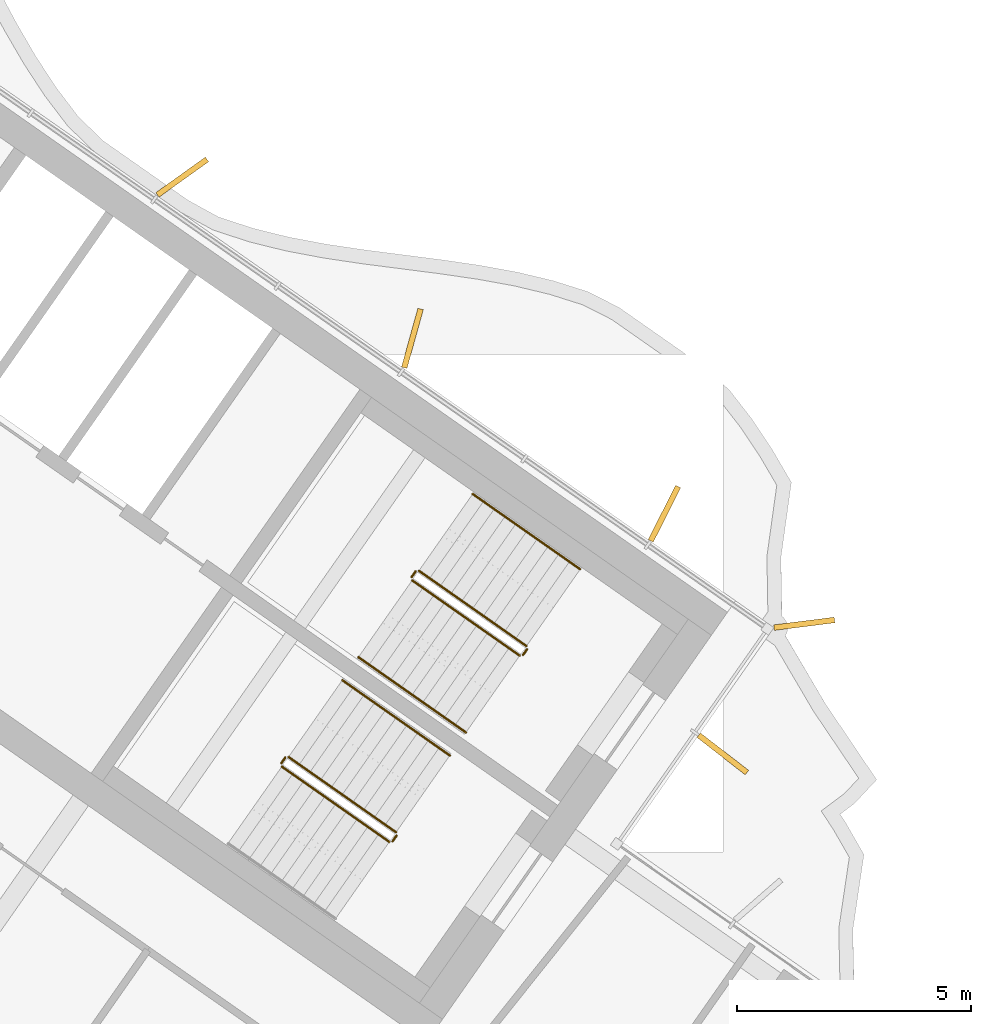
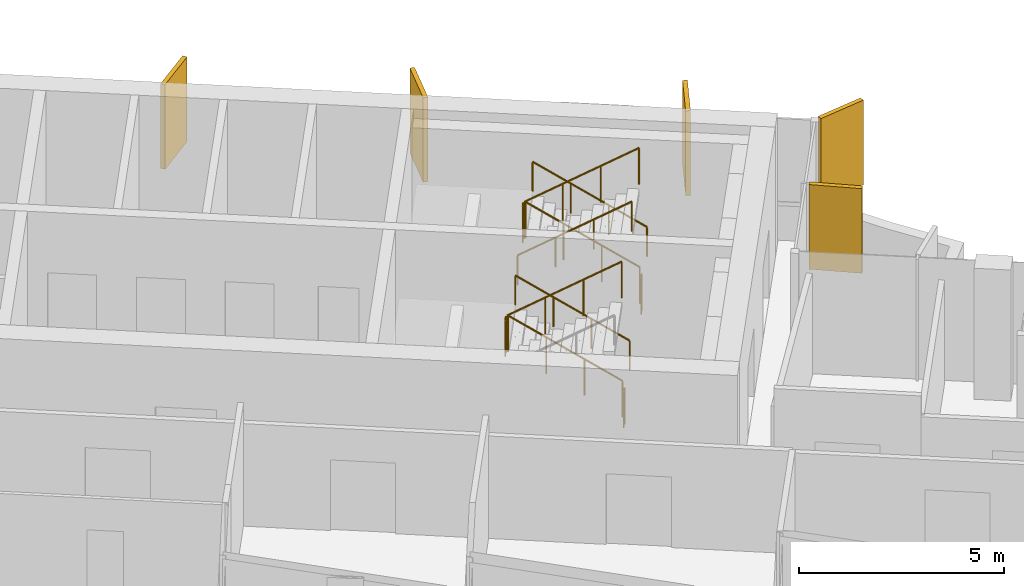
# One storey, part 17 of 18: 11 railings, 5 shading devices.
"""IFC4 building model written with IfcOpenShell, lengths in metres."""

from ifc_helpers import new_model, si_unit, direction, frame, origin, origin_2d, place, context, subcontext, project, spatial, rectangle, circle, extrude, material, layer, layer_set, type_object, element, save


model = new_model("IFC4")

# Units and contexts
model_context = context("Model", 3, precision=1e-05, world=origin(), true_north=direction((0.0, 1.0)))
body_context = subcontext(model_context, "Body", "Model", "MODEL_VIEW")
ifc_project = project(units=[si_unit("LENGTHUNIT", "METRE"), si_unit("AREAUNIT", "SQUARE_METRE"), si_unit("VOLUMEUNIT", "CUBIC_METRE"), si_unit("PLANEANGLEUNIT", "RADIAN"), si_unit("MASSUNIT", "GRAM", prefix="KILO")], contexts=[model_context])

# Site, building, storey
site_placement = place(None, origin())
site = spatial("IfcSite", under=ifc_project, at=site_placement, CompositionType="ELEMENT")
building_placement = place(site_placement, origin())
building = spatial("IfcBuilding", under=site, at=building_placement, Name="Tel Ilan Convention Tower", CompositionType="ELEMENT")
storey_placement = place(building_placement, frame((0.0, 0.0, 256.60009765625)))
storey = spatial("IfcBuildingStorey", under=building, at=storey_placement, Name="L60", CompositionType="ELEMENT", Elevation=256.60009765625)

# Shading devices
ifc_material_1 = material(Name="Aluminium, bronze anodised", Category="aluminium")
ifc_layer = layer(ifc_material_1, 0.1201171875)
ifc_layer_set = layer_set([ifc_layer], Name="FIN BRONZE 1300x120")
shading_device_type = type_object("IfcShadingDeviceType", Name="FIN BRONZE 1300x120", PredefinedType="USERDEFINED", material=ifc_layer_set)
for number, where, z_axis, x_axis, name in (
    (1, (27.868408203125, -10.15234375, 1.099853515625), (0.0, 0.0, 1.0), (0.790392669516, -0.612600545196, 0.0), "FIN"),
    (2, (29.60595703125, -7.376953125, 1.099853515625), (0.0, 0.0, 1.0), (0.992066016082, 0.125718016748, 0.0), "FIN"),
    (3, (26.62255859375, -5.028076171875, 1.099853515625), (0.0, 0.0, 1.0), (0.448799180206, 0.893632640321, 0.0), "FIN"),
    (4, (21.246337890625, -1.286865234375, 1.099853515625), (0.0, 0.0, 1.0), (0.268172612768, 0.963370878614, 0.0), "FIN"),
    (5, (16.335693359375, 2.15185546875, 1.099853515625), (0.0, 0.0, 1.0), (0.813552070258, 0.581492071294, 0.0), "FIN"),
):
    element("IfcShadingDevice", number, at=place(storey_placement, frame(where, z_axis=z_axis, x_axis=x_axis)), inside=storey, type_object=shading_device_type, Name=name, ObjectType="FIN", PredefinedType="USERDEFINED", context=body_context, shape_type="SweptSolid", body=[
        extrude(rectangle(XDim=1.300048828125, YDim=0.1201171875, at=origin_2d()), origin(), (0.0, 0.0, 1.0), 2.52001953125),
    ])

# Railings
ifc_material_2 = material(Name="Stainless Steel Grade 316", Category="steel")
railing_type_1 = type_object("IfcRailingType", Name="Stainless Steel Stair Guard 1100 mm", PredefinedType="GUARDRAIL", material=ifc_material_2)
railing_1_placement = place(storey_placement, frame((23.6787109375, -7.8515625, 0.17724609375)))
element("IfcRailing", 6, at=railing_1_placement, inside=storey, type_object=railing_type_1, Name="L60 S3 stair guard 1", PredefinedType="GUARDRAIL", context=body_context, shape_type="SweptSolid", body=[
    extrude(circle(Radius=0.02392578125, at=origin_2d()), frame((0.0, 0.0, 1.076171875), z_axis=(-0.692084706163, 0.484621375041, 0.534940073605), x_axis=(-0.573591086599, -0.819141785879, 0.0)), (0.0, 0.0, 1.0), 3.313720703125),
    extrude(circle(Radius=0.02099609375, at=origin_2d()), origin(), (0.0, 0.0, 1.0), 1.052001953125),
    extrude(circle(Radius=0.02099609375, at=origin_2d()), frame((-0.764404296875, 0.535400390625, 0.5908203125)), (0.0, 0.0, 1.0), 1.052001953125),
    extrude(circle(Radius=0.02099609375, at=origin_2d()), frame((-1.529052734375, 1.070556640625, 1.181884765625)), (0.0, 0.0, 1.0), 1.052001953125),
    extrude(circle(Radius=0.02099609375, at=origin_2d()), frame((-2.29345703125, 1.60595703125, 1.772705078125)), (0.0, 0.0, 1.0), 1.052001953125),
])
railing_2_placement = place(storey_placement, frame((21.3154296875, -6.2578125, 1.949951171875)))
element("IfcRailing", 7, at=railing_2_placement, inside=storey, type_object=railing_type_1, Name="L60 S3 stair guard 2", PredefinedType="GUARDRAIL", context=body_context, shape_type="SweptSolid", body=[
    extrude(circle(Radius=0.02392578125, at=origin_2d()), frame((0.0, 0.0, 1.076171875), z_axis=(-0.573353020881, -0.819308436089, 0.0), x_axis=(0.819308436089, -0.573353020881, 0.0)), (0.0, 0.0, 1.0), 0.14990234375),
    extrude(circle(Radius=0.02099609375, at=origin_2d()), origin(), (0.0, 0.0, 1.0), 1.052001953125),
    extrude(circle(Radius=0.02099609375, at=origin_2d()), frame((-0.0859375, -0.122802734375, 0.0)), (0.0, 0.0, 1.0), 1.052001953125),
])
railing_3_placement = place(storey_placement, frame((21.24169921875, -6.4501953125, 2.127197265625)))
element("IfcRailing", 8, at=railing_3_placement, inside=storey, type_object=railing_type_1, Name="L60 S3 stair guard 3", PredefinedType="GUARDRAIL", context=body_context, shape_type="SweptSolid", body=[
    extrude(circle(Radius=0.02392578125, at=origin_2d()), frame((0.0, 0.0, 1.076171875), z_axis=(0.692098378994, -0.484653031975, 0.534893701956), x_axis=(0.573608623498, 0.819129505664, 0.0)), (0.0, 0.0, 1.0), 3.314208984375),
    extrude(circle(Radius=0.02099609375, at=origin_2d()), origin(), (0.0, 0.0, 1.0), 1.052001953125),
    extrude(circle(Radius=0.02099609375, at=origin_2d()), frame((0.7646484375, -0.535400390625, 0.5908203125)), (0.0, 0.0, 1.0), 1.052001953125),
    extrude(circle(Radius=0.02099609375, at=origin_2d()), frame((1.529052734375, -1.07080078125, 1.181884765625)), (0.0, 0.0, 1.0), 1.052001953125),
    extrude(circle(Radius=0.02099609375, at=origin_2d()), frame((2.293701171875, -1.606201171875, 1.772705078125)), (0.0, 0.0, 1.0), 1.052001953125),
])
railing_4_placement = place(storey_placement, frame((23.691162109375, -7.921142578125, 0.0)))
element("IfcRailing", 9, at=railing_4_placement, inside=storey, type_object=railing_type_1, Name="L60 S3 stair guard 4", PredefinedType="GUARDRAIL", context=body_context, shape_type="SweptSolid", body=[
    extrude(circle(Radius=0.02392578125, at=origin_2d()), frame((0.0, 0.0, 1.076171875), z_axis=(-0.574444878118, -0.818543268254, 0.0), x_axis=(0.818543268254, -0.574444878118, 0.0)), (0.0, 0.0, 1.0), 0.150146484375),
    extrude(circle(Radius=0.02099609375, at=origin_2d()), origin(), (0.0, 0.0, 1.0), 1.052001953125),
    extrude(circle(Radius=0.02099609375, at=origin_2d()), frame((-0.086181640625, -0.122802734375, 0.0)), (0.0, 0.0, 1.0), 1.052001953125),
])
railing_5_placement = place(storey_placement, frame((20.89697265625, -11.824462890625, 0.17724609375)))
element("IfcRailing", 10, at=railing_5_placement, inside=storey, type_object=railing_type_1, Name="L60 S4 stair guard 1", PredefinedType="GUARDRAIL", context=body_context, shape_type="SweptSolid", body=[
    extrude(circle(Radius=0.02392578125, at=origin_2d()), frame((0.0, 0.0, 1.076171875), z_axis=(-0.692123088272, 0.484596665743, 0.534912798717), x_axis=(-0.573550118428, -0.819170471667, 0.0)), (0.0, 0.0, 1.0), 3.31396484375),
    extrude(circle(Radius=0.02099609375, at=origin_2d()), origin(), (0.0, 0.0, 1.0), 1.052001953125),
    extrude(circle(Radius=0.02099609375, at=origin_2d()), frame((-0.7646484375, 0.535400390625, 0.5908203125)), (0.0, 0.0, 1.0), 1.052001953125),
    extrude(circle(Radius=0.02099609375, at=origin_2d()), frame((-1.529052734375, 1.070556640625, 1.181884765625)), (0.0, 0.0, 1.0), 1.052001953125),
    extrude(circle(Radius=0.02099609375, at=origin_2d()), frame((-2.293701171875, 1.60595703125, 1.772705078125)), (0.0, 0.0, 1.0), 1.052001953125),
])
railing_6_placement = place(storey_placement, frame((18.53369140625, -10.230712890625, 1.949951171875)))
element("IfcRailing", 11, at=railing_6_placement, inside=storey, type_object=railing_type_1, Name="L60 S4 stair guard 2", PredefinedType="GUARDRAIL", context=body_context, shape_type="SweptSolid", body=[
    extrude(circle(Radius=0.02392578125, at=origin_2d()), frame((0.0, 0.0, 1.076171875), z_axis=(-0.573353020881, -0.819308436089, 0.0), x_axis=(0.819308436089, -0.573353020881, 0.0)), (0.0, 0.0, 1.0), 0.14990234375),
    extrude(circle(Radius=0.02099609375, at=origin_2d()), origin(), (0.0, 0.0, 1.0), 1.052001953125),
    extrude(circle(Radius=0.02099609375, at=origin_2d()), frame((-0.0859375, -0.122802734375, 0.0)), (0.0, 0.0, 1.0), 1.052001953125),
])
railing_7_placement = place(storey_placement, frame((18.4599609375, -10.423095703125, 2.127197265625)))
element("IfcRailing", 12, at=railing_7_placement, inside=storey, type_object=railing_type_1, Name="L60 S4 stair guard 3", PredefinedType="GUARDRAIL", context=body_context, shape_type="SweptSolid", body=[
    extrude(circle(Radius=0.02392578125, at=origin_2d()), frame((0.0, 0.0, 1.076171875), z_axis=(0.692098378994, -0.484653031975, 0.534893701956), x_axis=(0.573608623498, 0.819129505664, 0.0)), (0.0, 0.0, 1.0), 3.314208984375),
    extrude(circle(Radius=0.02099609375, at=origin_2d()), origin(), (0.0, 0.0, 1.0), 1.052001953125),
    extrude(circle(Radius=0.02099609375, at=origin_2d()), frame((0.7646484375, -0.535400390625, 0.5908203125)), (0.0, 0.0, 1.0), 1.052001953125),
    extrude(circle(Radius=0.02099609375, at=origin_2d()), frame((1.529052734375, -1.07080078125, 1.181884765625)), (0.0, 0.0, 1.0), 1.052001953125),
    extrude(circle(Radius=0.02099609375, at=origin_2d()), frame((2.293701171875, -1.606201171875, 1.772705078125)), (0.0, 0.0, 1.0), 1.052001953125),
])
railing_8_placement = place(storey_placement, frame((20.9091796875, -11.89404296875, 0.0)))
element("IfcRailing", 13, at=railing_8_placement, inside=storey, type_object=railing_type_1, Name="L60 S4 stair guard 4", PredefinedType="GUARDRAIL", context=body_context, shape_type="SweptSolid", body=[
    extrude(circle(Radius=0.02392578125, at=origin_2d()), frame((0.0, 0.0, 1.076171875), z_axis=(-0.573353020881, -0.819308436089, 0.0), x_axis=(0.819308436089, -0.573353020881, 0.0)), (0.0, 0.0, 1.0), 0.14990234375),
    extrude(circle(Radius=0.02099609375, at=origin_2d()), origin(), (0.0, 0.0, 1.0), 1.052001953125),
    extrude(circle(Radius=0.02099609375, at=origin_2d()), frame((-0.0859375, -0.122802734375, 0.0)), (0.0, 0.0, 1.0), 1.052001953125),
])
ifc_material_3 = material(Name="Stainless Steel Grade 316", Category="steel")
railing_type_2 = type_object("IfcRailingType", Name="Stainless Steel Stair Handrail 900 mm", PredefinedType="HANDRAIL", material=ifc_material_3)
railing_9_placement = place(storey_placement, frame((24.825927734375, -6.213134765625, 0.17724609375)))
element("IfcRailing", 14, at=railing_9_placement, inside=storey, type_object=railing_type_2, Name="L60 S3 stair handrail 1", PredefinedType="HANDRAIL", context=body_context, shape_type="SweptSolid", body=[
    extrude(circle(Radius=0.02392578125, at=origin_2d()), frame((0.0, 0.0, 0.8759765625), z_axis=(-0.692123088272, 0.484596665743, 0.534912798717), x_axis=(-0.573550118428, -0.819170471667, 0.0)), (0.0, 0.0, 1.0), 3.31396484375),
    extrude(circle(Radius=0.02099609375, at=origin_2d()), origin(), (0.0, 0.0, 1.0), 0.851806640625),
    extrude(circle(Radius=0.02099609375, at=origin_2d()), frame((-0.7646484375, 0.535400390625, 0.5908203125)), (0.0, 0.0, 1.0), 0.851806640625),
    extrude(circle(Radius=0.02099609375, at=origin_2d()), frame((-1.529052734375, 1.070556640625, 1.181884765625)), (0.0, 0.0, 1.0), 0.851806640625),
    extrude(circle(Radius=0.02099609375, at=origin_2d()), frame((-2.293701171875, 1.60595703125, 1.772705078125)), (0.0, 0.0, 1.0), 0.851806640625),
])
railing_10_placement = place(storey_placement, frame((20.0947265625, -8.088623046875, 2.127197265625)))
element("IfcRailing", 15, at=railing_10_placement, inside=storey, type_object=railing_type_2, Name="L60 S3 stair handrail 2", PredefinedType="HANDRAIL", context=body_context, shape_type="SweptSolid", body=[
    extrude(circle(Radius=0.02392578125, at=origin_2d()), frame((0.0, 0.0, 0.8759765625), z_axis=(0.692084706163, -0.484621375041, 0.534940073605), x_axis=(0.573591086599, 0.819141785879, 0.0)), (0.0, 0.0, 1.0), 3.313720703125),
    extrude(circle(Radius=0.02099609375, at=origin_2d()), origin(), (0.0, 0.0, 1.0), 0.851806640625),
    extrude(circle(Radius=0.02099609375, at=origin_2d()), frame((0.764404296875, -0.535400390625, 0.5908203125)), (0.0, 0.0, 1.0), 0.851806640625),
    extrude(circle(Radius=0.02099609375, at=origin_2d()), frame((1.529052734375, -1.070556640625, 1.181884765625)), (0.0, 0.0, 1.0), 0.851806640625),
    extrude(circle(Radius=0.02099609375, at=origin_2d()), frame((2.29345703125, -1.60595703125, 1.772705078125)), (0.0, 0.0, 1.0), 0.851806640625),
])
railing_11_placement = place(storey_placement, frame((22.044189453125, -10.18603515625, 0.17724609375)))
element("IfcRailing", 16, at=railing_11_placement, inside=storey, type_object=railing_type_2, Name="L60 S4 stair handrail 1", PredefinedType="HANDRAIL", context=body_context, shape_type="SweptSolid", body=[
    extrude(circle(Radius=0.02392578125, at=origin_2d()), frame((0.0, 0.0, 0.8759765625), z_axis=(-0.692123088272, 0.484596665743, 0.534912798717), x_axis=(-0.573550118428, -0.819170471667, 0.0)), (0.0, 0.0, 1.0), 3.31396484375),
    extrude(circle(Radius=0.02099609375, at=origin_2d()), origin(), (0.0, 0.0, 1.0), 0.851806640625),
    extrude(circle(Radius=0.02099609375, at=origin_2d()), frame((-0.7646484375, 0.535400390625, 0.5908203125)), (0.0, 0.0, 1.0), 0.851806640625),
    extrude(circle(Radius=0.02099609375, at=origin_2d()), frame((-1.529052734375, 1.070556640625, 1.181884765625)), (0.0, 0.0, 1.0), 0.851806640625),
    extrude(circle(Radius=0.02099609375, at=origin_2d()), frame((-2.293701171875, 1.60595703125, 1.772705078125)), (0.0, 0.0, 1.0), 0.851806640625),
])

save(model, "model.ifc")
